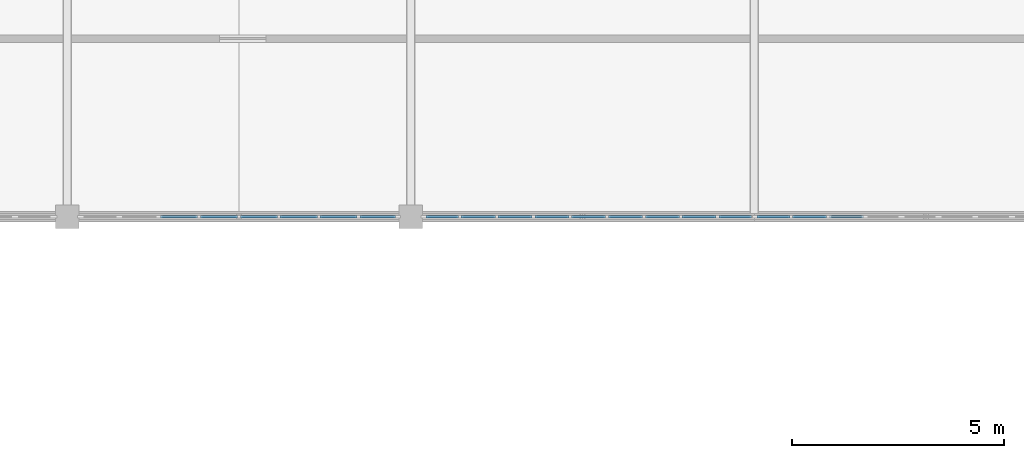
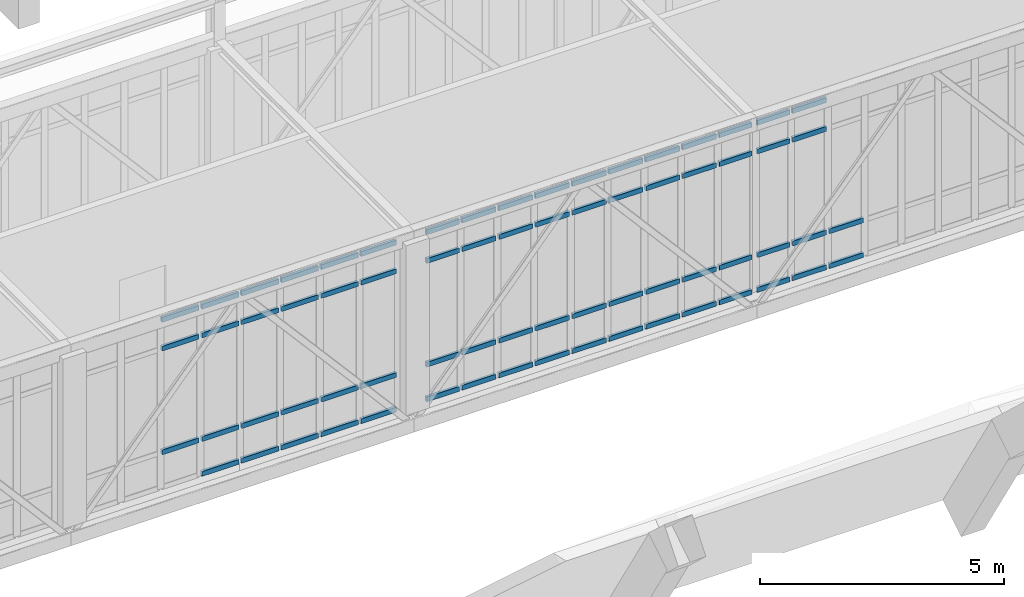
# One storey, part 23 of 67: 69 members, 3 elements without a shape of their own.
"""IFC4 building model written with IfcOpenShell, lengths in metres."""

from ifc_helpers import new_model, si_unit, direction, frame, origin, origin_2d, place, context, subcontext, project, spatial, rectangle, extrude, material, material_profile, profile_set, type_object, element, aggregate, save


model = new_model("IFC4")

# Units and contexts
model_context = context("Model", 3, precision=1e-05, world=origin(), true_north=direction((0.0, 1.0)))
body_context = subcontext(model_context, "Body", "Model", "MODEL_VIEW")
ifc_project = project(units=[si_unit("LENGTHUNIT", "METRE"), si_unit("AREAUNIT", "SQUARE_METRE"), si_unit("VOLUMEUNIT", "CUBIC_METRE"), si_unit("PLANEANGLEUNIT", "RADIAN"), si_unit("MASSUNIT", "GRAM", prefix="KILO")], contexts=[model_context])

# Site, building, storey
site_placement = place(None, origin())
site = spatial("IfcSite", under=ifc_project, at=site_placement, CompositionType="ELEMENT")
building_placement = place(site_placement, origin())
building = spatial("IfcBuilding", under=site, at=building_placement, Name="Tarnveldt Square Police Headquarters", CompositionType="ELEMENT")
storey_placement = place(building_placement, frame((0.0, 0.0, 10.199951171875)))
storey = spatial("IfcBuildingStorey", under=building, at=storey_placement, Name="L02", CompositionType="ELEMENT", Elevation=10.199951171875)

# Curtain wall, members
ifc_material_1 = material(Name="Triple-glazed low-e laminated vision glass", Category="glass")
curtain_wall_type_1 = type_object("IfcCurtainWallType", Name="CW-SB-752x424", PredefinedType="USERDEFINED", material=ifc_material_1)
curtain_wall_1_placement = place(storey_placement, origin())
curtain_wall_1 = element("IfcCurtainWall", 1, at=curtain_wall_1_placement, inside=storey, type_object=curtain_wall_type_1, Name="L02 Curtain Wall CW-L02-141", ObjectType="GLAZED CURTAIN WALL", PredefinedType="USERDEFINED")
ifc_material_2 = material(Name="Thermally broken anodised aluminium 6063-T6", Category="aluminium")
ifc_material_profile = material_profile(ifc_material_2, rectangle(XDim=0.06494140625, YDim=0.1201171875, at=origin_2d()), Name="CW-T65x120")
ifc_profile_set = profile_set([ifc_material_profile], Name="Thermally broken anodised aluminium 6063-T6")
member_type = type_object("IfcMemberType", Name="CWT-65x120", PredefinedType="USERDEFINED", material=ifc_profile_set)
member_1_placement = place(storey_placement, frame((75.1025390625, 56.0, 0.900146484375), z_axis=(1.0, 0.0, 0.0), x_axis=(0.0, 1.0, 0.0)))
member_1 = element("IfcMember", 2, at=member_1_placement, type_object=member_type, Name="CW-SB86 transom 3.2", ObjectType="TRANSOM", PredefinedType="USERDEFINED", context=body_context, shape_type="SweptSolid", body=[
    extrude(rectangle(XDim=0.06494140625, YDim=0.1201171875, at=origin_2d()), origin(), (0.0, 0.0, 1.0), 0.875),
])
member_2_placement = place(storey_placement, frame((75.1025390625, 56.0, 3.489990234375), z_axis=(1.0, 0.0, 0.0), x_axis=(0.0, 1.0, 0.0)))
member_2 = element("IfcMember", 3, at=member_2_placement, type_object=member_type, Name="CW-SB86 transom 3.3", ObjectType="TRANSOM", PredefinedType="USERDEFINED", context=body_context, shape_type="SweptSolid", body=[
    extrude(rectangle(XDim=0.06494140625, YDim=0.1201171875, at=origin_2d()), origin(), (0.0, 0.0, 1.0), 0.875),
])
member_3_placement = place(storey_placement, frame((75.1025390625, 56.0, 4.20751953125), z_axis=(1.0, 0.0, 0.0), x_axis=(0.0, 1.0, 0.0)))
member_3 = element("IfcMember", 4, at=member_3_placement, type_object=member_type, Name="CW-SB86 transom 3.4", ObjectType="TRANSOM", PredefinedType="USERDEFINED", context=body_context, shape_type="SweptSolid", body=[
    extrude(rectangle(XDim=0.06494140625, YDim=0.1201171875, at=origin_2d()), origin(), (0.0, 0.0, 1.0), 0.875),
])
member_4_placement = place(storey_placement, frame((76.04248046875, 56.0, 0.032470703125), z_axis=(1.0, 0.0, 0.0), x_axis=(0.0, 1.0, 0.0)))
member_4 = element("IfcMember", 5, at=member_4_placement, type_object=member_type, Name="CW-SB86 transom 4.1", ObjectType="TRANSOM", PredefinedType="USERDEFINED", context=body_context, shape_type="SweptSolid", body=[
    extrude(rectangle(XDim=0.06494140625, YDim=0.1201171875, at=origin_2d()), origin(), (0.0, 0.0, 1.0), 0.875),
])
member_5_placement = place(storey_placement, frame((76.04248046875, 56.0, 0.900146484375), z_axis=(1.0, 0.0, 0.0), x_axis=(0.0, 1.0, 0.0)))
member_5 = element("IfcMember", 6, at=member_5_placement, type_object=member_type, Name="CW-SB86 transom 4.2", ObjectType="TRANSOM", PredefinedType="USERDEFINED", context=body_context, shape_type="SweptSolid", body=[
    extrude(rectangle(XDim=0.06494140625, YDim=0.1201171875, at=origin_2d()), origin(), (0.0, 0.0, 1.0), 0.875),
])
member_6_placement = place(storey_placement, frame((76.04248046875, 56.0, 3.489990234375), z_axis=(1.0, 0.0, 0.0), x_axis=(0.0, 1.0, 0.0)))
member_6 = element("IfcMember", 7, at=member_6_placement, type_object=member_type, Name="CW-SB86 transom 4.3", ObjectType="TRANSOM", PredefinedType="USERDEFINED", context=body_context, shape_type="SweptSolid", body=[
    extrude(rectangle(XDim=0.06494140625, YDim=0.1201171875, at=origin_2d()), origin(), (0.0, 0.0, 1.0), 0.875),
])
member_7_placement = place(storey_placement, frame((76.04248046875, 56.0, 4.20751953125), z_axis=(1.0, 0.0, 0.0), x_axis=(0.0, 1.0, 0.0)))
member_7 = element("IfcMember", 8, at=member_7_placement, type_object=member_type, Name="CW-SB86 transom 4.4", ObjectType="TRANSOM", PredefinedType="USERDEFINED", context=body_context, shape_type="SweptSolid", body=[
    extrude(rectangle(XDim=0.06494140625, YDim=0.1201171875, at=origin_2d()), origin(), (0.0, 0.0, 1.0), 0.875),
])
member_8_placement = place(storey_placement, frame((76.982421875, 56.0, 0.032470703125), z_axis=(1.0, 0.0, 0.0), x_axis=(0.0, 1.0, 0.0)))
member_8 = element("IfcMember", 9, at=member_8_placement, type_object=member_type, Name="CW-SB86 transom 5.1", ObjectType="TRANSOM", PredefinedType="USERDEFINED", context=body_context, shape_type="SweptSolid", body=[
    extrude(rectangle(XDim=0.06494140625, YDim=0.1201171875, at=origin_2d()), origin(), (0.0, 0.0, 1.0), 0.875),
])
member_9_placement = place(storey_placement, frame((76.982421875, 56.0, 0.900146484375), z_axis=(1.0, 0.0, 0.0), x_axis=(0.0, 1.0, 0.0)))
member_9 = element("IfcMember", 10, at=member_9_placement, type_object=member_type, Name="CW-SB86 transom 5.2", ObjectType="TRANSOM", PredefinedType="USERDEFINED", context=body_context, shape_type="SweptSolid", body=[
    extrude(rectangle(XDim=0.06494140625, YDim=0.1201171875, at=origin_2d()), origin(), (0.0, 0.0, 1.0), 0.875),
])
member_10_placement = place(storey_placement, frame((76.982421875, 56.0, 3.489990234375), z_axis=(1.0, 0.0, 0.0), x_axis=(0.0, 1.0, 0.0)))
member_10 = element("IfcMember", 11, at=member_10_placement, type_object=member_type, Name="CW-SB86 transom 5.3", ObjectType="TRANSOM", PredefinedType="USERDEFINED", context=body_context, shape_type="SweptSolid", body=[
    extrude(rectangle(XDim=0.06494140625, YDim=0.1201171875, at=origin_2d()), origin(), (0.0, 0.0, 1.0), 0.875),
])
member_11_placement = place(storey_placement, frame((76.982421875, 56.0, 4.20751953125), z_axis=(1.0, 0.0, 0.0), x_axis=(0.0, 1.0, 0.0)))
member_11 = element("IfcMember", 12, at=member_11_placement, type_object=member_type, Name="CW-SB86 transom 5.4", ObjectType="TRANSOM", PredefinedType="USERDEFINED", context=body_context, shape_type="SweptSolid", body=[
    extrude(rectangle(XDim=0.06494140625, YDim=0.1201171875, at=origin_2d()), origin(), (0.0, 0.0, 1.0), 0.875),
])
member_12_placement = place(storey_placement, frame((77.922607421875, 56.0, 0.032470703125), z_axis=(1.0, 0.0, 0.0), x_axis=(0.0, 1.0, 0.0)))
member_12 = element("IfcMember", 13, at=member_12_placement, type_object=member_type, Name="CW-SB86 transom 6.1", ObjectType="TRANSOM", PredefinedType="USERDEFINED", context=body_context, shape_type="SweptSolid", body=[
    extrude(rectangle(XDim=0.06494140625, YDim=0.1201171875, at=origin_2d()), origin(), (0.0, 0.0, 1.0), 0.875),
])
member_13_placement = place(storey_placement, frame((77.922607421875, 56.0, 0.900146484375), z_axis=(1.0, 0.0, 0.0), x_axis=(0.0, 1.0, 0.0)))
member_13 = element("IfcMember", 14, at=member_13_placement, type_object=member_type, Name="CW-SB86 transom 6.2", ObjectType="TRANSOM", PredefinedType="USERDEFINED", context=body_context, shape_type="SweptSolid", body=[
    extrude(rectangle(XDim=0.06494140625, YDim=0.1201171875, at=origin_2d()), origin(), (0.0, 0.0, 1.0), 0.875),
])
member_14_placement = place(storey_placement, frame((77.922607421875, 56.0, 3.489990234375), z_axis=(1.0, 0.0, 0.0), x_axis=(0.0, 1.0, 0.0)))
member_14 = element("IfcMember", 15, at=member_14_placement, type_object=member_type, Name="CW-SB86 transom 6.3", ObjectType="TRANSOM", PredefinedType="USERDEFINED", context=body_context, shape_type="SweptSolid", body=[
    extrude(rectangle(XDim=0.06494140625, YDim=0.1201171875, at=origin_2d()), origin(), (0.0, 0.0, 1.0), 0.875),
])
member_15_placement = place(storey_placement, frame((77.922607421875, 56.0, 4.20751953125), z_axis=(1.0, 0.0, 0.0), x_axis=(0.0, 1.0, 0.0)))
member_15 = element("IfcMember", 16, at=member_15_placement, type_object=member_type, Name="CW-SB86 transom 6.4", ObjectType="TRANSOM", PredefinedType="USERDEFINED", context=body_context, shape_type="SweptSolid", body=[
    extrude(rectangle(XDim=0.06494140625, YDim=0.1201171875, at=origin_2d()), origin(), (0.0, 0.0, 1.0), 0.875),
])
member_16_placement = place(storey_placement, frame((78.862548828125, 56.0, 0.032470703125), z_axis=(1.0, 0.0, 0.0), x_axis=(0.0, 1.0, 0.0)))
member_16 = element("IfcMember", 17, at=member_16_placement, type_object=member_type, Name="CW-SB86 transom 7.1", ObjectType="TRANSOM", PredefinedType="USERDEFINED", context=body_context, shape_type="SweptSolid", body=[
    extrude(rectangle(XDim=0.06494140625, YDim=0.1201171875, at=origin_2d()), origin(), (0.0, 0.0, 1.0), 0.875),
])
member_17_placement = place(storey_placement, frame((78.862548828125, 56.0, 0.900146484375), z_axis=(1.0, 0.0, 0.0), x_axis=(0.0, 1.0, 0.0)))
member_17 = element("IfcMember", 18, at=member_17_placement, type_object=member_type, Name="CW-SB86 transom 7.2", ObjectType="TRANSOM", PredefinedType="USERDEFINED", context=body_context, shape_type="SweptSolid", body=[
    extrude(rectangle(XDim=0.06494140625, YDim=0.1201171875, at=origin_2d()), origin(), (0.0, 0.0, 1.0), 0.875),
])
member_18_placement = place(storey_placement, frame((78.862548828125, 56.0, 3.489990234375), z_axis=(1.0, 0.0, 0.0), x_axis=(0.0, 1.0, 0.0)))
member_18 = element("IfcMember", 19, at=member_18_placement, type_object=member_type, Name="CW-SB86 transom 7.3", ObjectType="TRANSOM", PredefinedType="USERDEFINED", context=body_context, shape_type="SweptSolid", body=[
    extrude(rectangle(XDim=0.06494140625, YDim=0.1201171875, at=origin_2d()), origin(), (0.0, 0.0, 1.0), 0.875),
])
member_19_placement = place(storey_placement, frame((78.862548828125, 56.0, 4.20751953125), z_axis=(1.0, 0.0, 0.0), x_axis=(0.0, 1.0, 0.0)))
member_19 = element("IfcMember", 20, at=member_19_placement, type_object=member_type, Name="CW-SB86 transom 7.4", ObjectType="TRANSOM", PredefinedType="USERDEFINED", context=body_context, shape_type="SweptSolid", body=[
    extrude(rectangle(XDim=0.06494140625, YDim=0.1201171875, at=origin_2d()), origin(), (0.0, 0.0, 1.0), 0.875),
])
member_20_placement = place(storey_placement, frame((79.802490234375, 56.0, 0.032470703125), z_axis=(1.0, 0.0, 0.0), x_axis=(0.0, 1.0, 0.0)))
member_20 = element("IfcMember", 21, at=member_20_placement, type_object=member_type, Name="CW-SB86 transom 8.1", ObjectType="TRANSOM", PredefinedType="USERDEFINED", context=body_context, shape_type="SweptSolid", body=[
    extrude(rectangle(XDim=0.06494140625, YDim=0.1201171875, at=origin_2d()), origin(), (0.0, 0.0, 1.0), 0.842529296875),
])
member_21_placement = place(storey_placement, frame((79.802490234375, 56.0, 0.900146484375), z_axis=(1.0, 0.0, 0.0), x_axis=(0.0, 1.0, 0.0)))
member_21 = element("IfcMember", 22, at=member_21_placement, type_object=member_type, Name="CW-SB86 transom 8.2", ObjectType="TRANSOM", PredefinedType="USERDEFINED", context=body_context, shape_type="SweptSolid", body=[
    extrude(rectangle(XDim=0.06494140625, YDim=0.1201171875, at=origin_2d()), origin(), (0.0, 0.0, 1.0), 0.842529296875),
])
member_22_placement = place(storey_placement, frame((79.802490234375, 56.0, 3.489990234375), z_axis=(1.0, 0.0, 0.0), x_axis=(0.0, 1.0, 0.0)))
member_22 = element("IfcMember", 23, at=member_22_placement, type_object=member_type, Name="CW-SB86 transom 8.3", ObjectType="TRANSOM", PredefinedType="USERDEFINED", context=body_context, shape_type="SweptSolid", body=[
    extrude(rectangle(XDim=0.06494140625, YDim=0.1201171875, at=origin_2d()), origin(), (0.0, 0.0, 1.0), 0.842529296875),
])
member_23_placement = place(storey_placement, frame((79.802490234375, 56.0, 4.20751953125), z_axis=(1.0, 0.0, 0.0), x_axis=(0.0, 1.0, 0.0)))
member_23 = element("IfcMember", 24, at=member_23_placement, type_object=member_type, Name="CW-SB86 transom 8.4", ObjectType="TRANSOM", PredefinedType="USERDEFINED", context=body_context, shape_type="SweptSolid", body=[
    extrude(rectangle(XDim=0.06494140625, YDim=0.1201171875, at=origin_2d()), origin(), (0.0, 0.0, 1.0), 0.842529296875),
])
aggregate(curtain_wall_1, [member_1, member_2, member_3, member_4, member_5, member_6, member_7, member_8, member_9, member_10, member_11, member_12, member_13, member_14, member_15, member_16, member_17, member_18, member_19, member_20, member_21, member_22, member_23])

curtain_wall_type_2 = type_object("IfcCurtainWallType", Name="CW-SB-781x424", PredefinedType="USERDEFINED", material=ifc_material_1)
curtain_wall_2_placement = place(storey_placement, origin())
curtain_wall_2 = element("IfcCurtainWall", 25, at=curtain_wall_2_placement, inside=storey, type_object=curtain_wall_type_2, Name="L02 Curtain Wall CW-L02-142", ObjectType="GLAZED CURTAIN WALL", PredefinedType="USERDEFINED")
member_24_placement = place(storey_placement, frame((81.35498046875, 56.0, 0.032470703125), z_axis=(1.0, 0.0, 0.0), x_axis=(0.0, 1.0, 0.0)))
member_24 = element("IfcMember", 26, at=member_24_placement, type_object=member_type, Name="CW-SB87 transom 1.1", ObjectType="TRANSOM", PredefinedType="USERDEFINED", context=body_context, shape_type="SweptSolid", body=[
    extrude(rectangle(XDim=0.06494140625, YDim=0.1201171875, at=origin_2d()), origin(), (0.0, 0.0, 1.0), 0.770263671875),
])
member_25_placement = place(storey_placement, frame((81.35498046875, 56.0, 0.900146484375), z_axis=(1.0, 0.0, 0.0), x_axis=(0.0, 1.0, 0.0)))
member_25 = element("IfcMember", 27, at=member_25_placement, type_object=member_type, Name="CW-SB87 transom 1.2", ObjectType="TRANSOM", PredefinedType="USERDEFINED", context=body_context, shape_type="SweptSolid", body=[
    extrude(rectangle(XDim=0.06494140625, YDim=0.1201171875, at=origin_2d()), origin(), (0.0, 0.0, 1.0), 0.770263671875),
])
member_26_placement = place(storey_placement, frame((81.35498046875, 56.0, 3.489990234375), z_axis=(1.0, 0.0, 0.0), x_axis=(0.0, 1.0, 0.0)))
member_26 = element("IfcMember", 28, at=member_26_placement, type_object=member_type, Name="CW-SB87 transom 1.3", ObjectType="TRANSOM", PredefinedType="USERDEFINED", context=body_context, shape_type="SweptSolid", body=[
    extrude(rectangle(XDim=0.06494140625, YDim=0.1201171875, at=origin_2d()), origin(), (0.0, 0.0, 1.0), 0.770263671875),
])
member_27_placement = place(storey_placement, frame((81.35498046875, 56.0, 4.20751953125), z_axis=(1.0, 0.0, 0.0), x_axis=(0.0, 1.0, 0.0)))
member_27 = element("IfcMember", 29, at=member_27_placement, type_object=member_type, Name="CW-SB87 transom 1.4", ObjectType="TRANSOM", PredefinedType="USERDEFINED", context=body_context, shape_type="SweptSolid", body=[
    extrude(rectangle(XDim=0.06494140625, YDim=0.1201171875, at=origin_2d()), origin(), (0.0, 0.0, 1.0), 0.770263671875),
])
member_28_placement = place(storey_placement, frame((82.190185546875, 56.0, 0.032470703125), z_axis=(1.0, 0.0, 0.0), x_axis=(0.0, 1.0, 0.0)))
member_28 = element("IfcMember", 30, at=member_28_placement, type_object=member_type, Name="CW-SB87 transom 2.1", ObjectType="TRANSOM", PredefinedType="USERDEFINED", context=body_context, shape_type="SweptSolid", body=[
    extrude(rectangle(XDim=0.06494140625, YDim=0.1201171875, at=origin_2d()), origin(), (0.0, 0.0, 1.0), 0.802978515625),
])
member_29_placement = place(storey_placement, frame((82.190185546875, 56.0, 0.900146484375), z_axis=(1.0, 0.0, 0.0), x_axis=(0.0, 1.0, 0.0)))
member_29 = element("IfcMember", 31, at=member_29_placement, type_object=member_type, Name="CW-SB87 transom 2.2", ObjectType="TRANSOM", PredefinedType="USERDEFINED", context=body_context, shape_type="SweptSolid", body=[
    extrude(rectangle(XDim=0.06494140625, YDim=0.1201171875, at=origin_2d()), origin(), (0.0, 0.0, 1.0), 0.802978515625),
])
member_30_placement = place(storey_placement, frame((82.190185546875, 56.0, 3.489990234375), z_axis=(1.0, 0.0, 0.0), x_axis=(0.0, 1.0, 0.0)))
member_30 = element("IfcMember", 32, at=member_30_placement, type_object=member_type, Name="CW-SB87 transom 2.3", ObjectType="TRANSOM", PredefinedType="USERDEFINED", context=body_context, shape_type="SweptSolid", body=[
    extrude(rectangle(XDim=0.06494140625, YDim=0.1201171875, at=origin_2d()), origin(), (0.0, 0.0, 1.0), 0.802978515625),
])
member_31_placement = place(storey_placement, frame((82.190185546875, 56.0, 4.20751953125), z_axis=(1.0, 0.0, 0.0), x_axis=(0.0, 1.0, 0.0)))
member_31 = element("IfcMember", 33, at=member_31_placement, type_object=member_type, Name="CW-SB87 transom 2.4", ObjectType="TRANSOM", PredefinedType="USERDEFINED", context=body_context, shape_type="SweptSolid", body=[
    extrude(rectangle(XDim=0.06494140625, YDim=0.1201171875, at=origin_2d()), origin(), (0.0, 0.0, 1.0), 0.802978515625),
])
member_32_placement = place(storey_placement, frame((83.05810546875, 56.0, 0.032470703125), z_axis=(1.0, 0.0, 0.0), x_axis=(0.0, 1.0, 0.0)))
member_32 = element("IfcMember", 34, at=member_32_placement, type_object=member_type, Name="CW-SB87 transom 3.1", ObjectType="TRANSOM", PredefinedType="USERDEFINED", context=body_context, shape_type="SweptSolid", body=[
    extrude(rectangle(XDim=0.06494140625, YDim=0.1201171875, at=origin_2d()), origin(), (0.0, 0.0, 1.0), 0.802734375),
])
member_33_placement = place(storey_placement, frame((83.05810546875, 56.0, 0.900146484375), z_axis=(1.0, 0.0, 0.0), x_axis=(0.0, 1.0, 0.0)))
member_33 = element("IfcMember", 35, at=member_33_placement, type_object=member_type, Name="CW-SB87 transom 3.2", ObjectType="TRANSOM", PredefinedType="USERDEFINED", context=body_context, shape_type="SweptSolid", body=[
    extrude(rectangle(XDim=0.06494140625, YDim=0.1201171875, at=origin_2d()), origin(), (0.0, 0.0, 1.0), 0.802734375),
])
member_34_placement = place(storey_placement, frame((83.05810546875, 56.0, 3.489990234375), z_axis=(1.0, 0.0, 0.0), x_axis=(0.0, 1.0, 0.0)))
member_34 = element("IfcMember", 36, at=member_34_placement, type_object=member_type, Name="CW-SB87 transom 3.3", ObjectType="TRANSOM", PredefinedType="USERDEFINED", context=body_context, shape_type="SweptSolid", body=[
    extrude(rectangle(XDim=0.06494140625, YDim=0.1201171875, at=origin_2d()), origin(), (0.0, 0.0, 1.0), 0.802734375),
])
member_35_placement = place(storey_placement, frame((83.05810546875, 56.0, 4.20751953125), z_axis=(1.0, 0.0, 0.0), x_axis=(0.0, 1.0, 0.0)))
member_35 = element("IfcMember", 37, at=member_35_placement, type_object=member_type, Name="CW-SB87 transom 3.4", ObjectType="TRANSOM", PredefinedType="USERDEFINED", context=body_context, shape_type="SweptSolid", body=[
    extrude(rectangle(XDim=0.06494140625, YDim=0.1201171875, at=origin_2d()), origin(), (0.0, 0.0, 1.0), 0.802734375),
])
member_36_placement = place(storey_placement, frame((83.92578125, 56.0, 0.032470703125), z_axis=(1.0, 0.0, 0.0), x_axis=(0.0, 1.0, 0.0)))
member_36 = element("IfcMember", 38, at=member_36_placement, type_object=member_type, Name="CW-SB87 transom 4.1", ObjectType="TRANSOM", PredefinedType="USERDEFINED", context=body_context, shape_type="SweptSolid", body=[
    extrude(rectangle(XDim=0.06494140625, YDim=0.1201171875, at=origin_2d()), origin(), (0.0, 0.0, 1.0), 0.802734375),
])
member_37_placement = place(storey_placement, frame((83.92578125, 56.0, 0.900146484375), z_axis=(1.0, 0.0, 0.0), x_axis=(0.0, 1.0, 0.0)))
member_37 = element("IfcMember", 39, at=member_37_placement, type_object=member_type, Name="CW-SB87 transom 4.2", ObjectType="TRANSOM", PredefinedType="USERDEFINED", context=body_context, shape_type="SweptSolid", body=[
    extrude(rectangle(XDim=0.06494140625, YDim=0.1201171875, at=origin_2d()), origin(), (0.0, 0.0, 1.0), 0.802734375),
])
member_38_placement = place(storey_placement, frame((83.92578125, 56.0, 3.489990234375), z_axis=(1.0, 0.0, 0.0), x_axis=(0.0, 1.0, 0.0)))
member_38 = element("IfcMember", 40, at=member_38_placement, type_object=member_type, Name="CW-SB87 transom 4.3", ObjectType="TRANSOM", PredefinedType="USERDEFINED", context=body_context, shape_type="SweptSolid", body=[
    extrude(rectangle(XDim=0.06494140625, YDim=0.1201171875, at=origin_2d()), origin(), (0.0, 0.0, 1.0), 0.802734375),
])
member_39_placement = place(storey_placement, frame((83.92578125, 56.0, 4.20751953125), z_axis=(1.0, 0.0, 0.0), x_axis=(0.0, 1.0, 0.0)))
member_39 = element("IfcMember", 41, at=member_39_placement, type_object=member_type, Name="CW-SB87 transom 4.4", ObjectType="TRANSOM", PredefinedType="USERDEFINED", context=body_context, shape_type="SweptSolid", body=[
    extrude(rectangle(XDim=0.06494140625, YDim=0.1201171875, at=origin_2d()), origin(), (0.0, 0.0, 1.0), 0.802734375),
])
member_40_placement = place(storey_placement, frame((84.793701171875, 56.0, 0.032470703125), z_axis=(1.0, 0.0, 0.0), x_axis=(0.0, 1.0, 0.0)))
member_40 = element("IfcMember", 42, at=member_40_placement, type_object=member_type, Name="CW-SB87 transom 5.1", ObjectType="TRANSOM", PredefinedType="USERDEFINED", context=body_context, shape_type="SweptSolid", body=[
    extrude(rectangle(XDim=0.06494140625, YDim=0.1201171875, at=origin_2d()), origin(), (0.0, 0.0, 1.0), 0.802734375),
])
member_41_placement = place(storey_placement, frame((84.793701171875, 56.0, 0.900146484375), z_axis=(1.0, 0.0, 0.0), x_axis=(0.0, 1.0, 0.0)))
member_41 = element("IfcMember", 43, at=member_41_placement, type_object=member_type, Name="CW-SB87 transom 5.2", ObjectType="TRANSOM", PredefinedType="USERDEFINED", context=body_context, shape_type="SweptSolid", body=[
    extrude(rectangle(XDim=0.06494140625, YDim=0.1201171875, at=origin_2d()), origin(), (0.0, 0.0, 1.0), 0.802734375),
])
member_42_placement = place(storey_placement, frame((84.793701171875, 56.0, 3.489990234375), z_axis=(1.0, 0.0, 0.0), x_axis=(0.0, 1.0, 0.0)))
member_42 = element("IfcMember", 44, at=member_42_placement, type_object=member_type, Name="CW-SB87 transom 5.3", ObjectType="TRANSOM", PredefinedType="USERDEFINED", context=body_context, shape_type="SweptSolid", body=[
    extrude(rectangle(XDim=0.06494140625, YDim=0.1201171875, at=origin_2d()), origin(), (0.0, 0.0, 1.0), 0.802734375),
])
member_43_placement = place(storey_placement, frame((84.793701171875, 56.0, 4.20751953125), z_axis=(1.0, 0.0, 0.0), x_axis=(0.0, 1.0, 0.0)))
member_43 = element("IfcMember", 45, at=member_43_placement, type_object=member_type, Name="CW-SB87 transom 5.4", ObjectType="TRANSOM", PredefinedType="USERDEFINED", context=body_context, shape_type="SweptSolid", body=[
    extrude(rectangle(XDim=0.06494140625, YDim=0.1201171875, at=origin_2d()), origin(), (0.0, 0.0, 1.0), 0.802734375),
])
member_44_placement = place(storey_placement, frame((85.661376953125, 56.0, 0.032470703125), z_axis=(1.0, 0.0, 0.0), x_axis=(0.0, 1.0, 0.0)))
member_44 = element("IfcMember", 46, at=member_44_placement, type_object=member_type, Name="CW-SB87 transom 6.1", ObjectType="TRANSOM", PredefinedType="USERDEFINED", context=body_context, shape_type="SweptSolid", body=[
    extrude(rectangle(XDim=0.06494140625, YDim=0.1201171875, at=origin_2d()), origin(), (0.0, 0.0, 1.0), 0.802734375),
])
member_45_placement = place(storey_placement, frame((85.661376953125, 56.0, 0.900146484375), z_axis=(1.0, 0.0, 0.0), x_axis=(0.0, 1.0, 0.0)))
member_45 = element("IfcMember", 47, at=member_45_placement, type_object=member_type, Name="CW-SB87 transom 6.2", ObjectType="TRANSOM", PredefinedType="USERDEFINED", context=body_context, shape_type="SweptSolid", body=[
    extrude(rectangle(XDim=0.06494140625, YDim=0.1201171875, at=origin_2d()), origin(), (0.0, 0.0, 1.0), 0.802734375),
])
member_46_placement = place(storey_placement, frame((85.661376953125, 56.0, 3.489990234375), z_axis=(1.0, 0.0, 0.0), x_axis=(0.0, 1.0, 0.0)))
member_46 = element("IfcMember", 48, at=member_46_placement, type_object=member_type, Name="CW-SB87 transom 6.3", ObjectType="TRANSOM", PredefinedType="USERDEFINED", context=body_context, shape_type="SweptSolid", body=[
    extrude(rectangle(XDim=0.06494140625, YDim=0.1201171875, at=origin_2d()), origin(), (0.0, 0.0, 1.0), 0.802734375),
])
member_47_placement = place(storey_placement, frame((85.661376953125, 56.0, 4.20751953125), z_axis=(1.0, 0.0, 0.0), x_axis=(0.0, 1.0, 0.0)))
member_47 = element("IfcMember", 49, at=member_47_placement, type_object=member_type, Name="CW-SB87 transom 6.4", ObjectType="TRANSOM", PredefinedType="USERDEFINED", context=body_context, shape_type="SweptSolid", body=[
    extrude(rectangle(XDim=0.06494140625, YDim=0.1201171875, at=origin_2d()), origin(), (0.0, 0.0, 1.0), 0.802734375),
])
member_48_placement = place(storey_placement, frame((86.529052734375, 56.0, 0.032470703125), z_axis=(1.0, 0.0, 0.0), x_axis=(0.0, 1.0, 0.0)))
member_48 = element("IfcMember", 50, at=member_48_placement, type_object=member_type, Name="CW-SB87 transom 7.1", ObjectType="TRANSOM", PredefinedType="USERDEFINED", context=body_context, shape_type="SweptSolid", body=[
    extrude(rectangle(XDim=0.06494140625, YDim=0.1201171875, at=origin_2d()), origin(), (0.0, 0.0, 1.0), 0.802978515625),
])
member_49_placement = place(storey_placement, frame((86.529052734375, 56.0, 0.900146484375), z_axis=(1.0, 0.0, 0.0), x_axis=(0.0, 1.0, 0.0)))
member_49 = element("IfcMember", 51, at=member_49_placement, type_object=member_type, Name="CW-SB87 transom 7.2", ObjectType="TRANSOM", PredefinedType="USERDEFINED", context=body_context, shape_type="SweptSolid", body=[
    extrude(rectangle(XDim=0.06494140625, YDim=0.1201171875, at=origin_2d()), origin(), (0.0, 0.0, 1.0), 0.802978515625),
])
member_50_placement = place(storey_placement, frame((86.529052734375, 56.0, 3.489990234375), z_axis=(1.0, 0.0, 0.0), x_axis=(0.0, 1.0, 0.0)))
member_50 = element("IfcMember", 52, at=member_50_placement, type_object=member_type, Name="CW-SB87 transom 7.3", ObjectType="TRANSOM", PredefinedType="USERDEFINED", context=body_context, shape_type="SweptSolid", body=[
    extrude(rectangle(XDim=0.06494140625, YDim=0.1201171875, at=origin_2d()), origin(), (0.0, 0.0, 1.0), 0.802978515625),
])
member_51_placement = place(storey_placement, frame((86.529052734375, 56.0, 4.20751953125), z_axis=(1.0, 0.0, 0.0), x_axis=(0.0, 1.0, 0.0)))
member_51 = element("IfcMember", 53, at=member_51_placement, type_object=member_type, Name="CW-SB87 transom 7.4", ObjectType="TRANSOM", PredefinedType="USERDEFINED", context=body_context, shape_type="SweptSolid", body=[
    extrude(rectangle(XDim=0.06494140625, YDim=0.1201171875, at=origin_2d()), origin(), (0.0, 0.0, 1.0), 0.802978515625),
])
member_52_placement = place(storey_placement, frame((87.39697265625, 56.0, 0.032470703125), z_axis=(1.0, 0.0, 0.0), x_axis=(0.0, 1.0, 0.0)))
member_52 = element("IfcMember", 54, at=member_52_placement, type_object=member_type, Name="CW-SB87 transom 8.1", ObjectType="TRANSOM", PredefinedType="USERDEFINED", context=body_context, shape_type="SweptSolid", body=[
    extrude(rectangle(XDim=0.06494140625, YDim=0.1201171875, at=origin_2d()), origin(), (0.0, 0.0, 1.0), 0.802734375),
])
member_53_placement = place(storey_placement, frame((87.39697265625, 56.0, 0.900146484375), z_axis=(1.0, 0.0, 0.0), x_axis=(0.0, 1.0, 0.0)))
member_53 = element("IfcMember", 55, at=member_53_placement, type_object=member_type, Name="CW-SB87 transom 8.2", ObjectType="TRANSOM", PredefinedType="USERDEFINED", context=body_context, shape_type="SweptSolid", body=[
    extrude(rectangle(XDim=0.06494140625, YDim=0.1201171875, at=origin_2d()), origin(), (0.0, 0.0, 1.0), 0.802734375),
])
member_54_placement = place(storey_placement, frame((87.39697265625, 56.0, 3.489990234375), z_axis=(1.0, 0.0, 0.0), x_axis=(0.0, 1.0, 0.0)))
member_54 = element("IfcMember", 56, at=member_54_placement, type_object=member_type, Name="CW-SB87 transom 8.3", ObjectType="TRANSOM", PredefinedType="USERDEFINED", context=body_context, shape_type="SweptSolid", body=[
    extrude(rectangle(XDim=0.06494140625, YDim=0.1201171875, at=origin_2d()), origin(), (0.0, 0.0, 1.0), 0.802734375),
])
member_55_placement = place(storey_placement, frame((87.39697265625, 56.0, 4.20751953125), z_axis=(1.0, 0.0, 0.0), x_axis=(0.0, 1.0, 0.0)))
member_55 = element("IfcMember", 57, at=member_55_placement, type_object=member_type, Name="CW-SB87 transom 8.4", ObjectType="TRANSOM", PredefinedType="USERDEFINED", context=body_context, shape_type="SweptSolid", body=[
    extrude(rectangle(XDim=0.06494140625, YDim=0.1201171875, at=origin_2d()), origin(), (0.0, 0.0, 1.0), 0.802734375),
])
member_56_placement = place(storey_placement, frame((88.2646484375, 56.0, 0.032470703125), z_axis=(1.0, 0.0, 0.0), x_axis=(0.0, 1.0, 0.0)))
member_56 = element("IfcMember", 58, at=member_56_placement, type_object=member_type, Name="CW-SB87 transom 9.1", ObjectType="TRANSOM", PredefinedType="USERDEFINED", context=body_context, shape_type="SweptSolid", body=[
    extrude(rectangle(XDim=0.06494140625, YDim=0.1201171875, at=origin_2d()), origin(), (0.0, 0.0, 1.0), 0.770263671875),
])
member_57_placement = place(storey_placement, frame((88.2646484375, 56.0, 0.900146484375), z_axis=(1.0, 0.0, 0.0), x_axis=(0.0, 1.0, 0.0)))
member_57 = element("IfcMember", 59, at=member_57_placement, type_object=member_type, Name="CW-SB87 transom 9.2", ObjectType="TRANSOM", PredefinedType="USERDEFINED", context=body_context, shape_type="SweptSolid", body=[
    extrude(rectangle(XDim=0.06494140625, YDim=0.1201171875, at=origin_2d()), origin(), (0.0, 0.0, 1.0), 0.770263671875),
])
member_58_placement = place(storey_placement, frame((88.2646484375, 56.0, 3.489990234375), z_axis=(1.0, 0.0, 0.0), x_axis=(0.0, 1.0, 0.0)))
member_58 = element("IfcMember", 60, at=member_58_placement, type_object=member_type, Name="CW-SB87 transom 9.3", ObjectType="TRANSOM", PredefinedType="USERDEFINED", context=body_context, shape_type="SweptSolid", body=[
    extrude(rectangle(XDim=0.06494140625, YDim=0.1201171875, at=origin_2d()), origin(), (0.0, 0.0, 1.0), 0.770263671875),
])
member_59_placement = place(storey_placement, frame((88.2646484375, 56.0, 4.20751953125), z_axis=(1.0, 0.0, 0.0), x_axis=(0.0, 1.0, 0.0)))
member_59 = element("IfcMember", 61, at=member_59_placement, type_object=member_type, Name="CW-SB87 transom 9.4", ObjectType="TRANSOM", PredefinedType="USERDEFINED", context=body_context, shape_type="SweptSolid", body=[
    extrude(rectangle(XDim=0.06494140625, YDim=0.1201171875, at=origin_2d()), origin(), (0.0, 0.0, 1.0), 0.770263671875),
])
aggregate(curtain_wall_2, [member_24, member_25, member_26, member_27, member_28, member_29, member_30, member_31, member_32, member_33, member_34, member_35, member_36, member_37, member_38, member_39, member_40, member_41, member_42, member_43, member_44, member_45, member_46, member_47, member_48, member_49, member_50, member_51, member_52, member_53, member_54, member_55, member_56, member_57, member_58, member_59])

curtain_wall_3_placement = place(storey_placement, origin())
curtain_wall_3 = element("IfcCurtainWall", 62, at=curtain_wall_3_placement, inside=storey, type_object=curtain_wall_type_2, Name="L02 Curtain Wall CW-L02-143", ObjectType="GLAZED CURTAIN WALL", PredefinedType="USERDEFINED")
member_60_placement = place(storey_placement, frame((89.1650390625, 56.0, 0.032470703125), z_axis=(1.0, 0.0, 0.0), x_axis=(0.0, 1.0, 0.0)))
member_60 = element("IfcMember", 63, at=member_60_placement, type_object=member_type, Name="CW-SB87 transom 1.1", ObjectType="TRANSOM", PredefinedType="USERDEFINED", context=body_context, shape_type="SweptSolid", body=[
    extrude(rectangle(XDim=0.06494140625, YDim=0.1201171875, at=origin_2d()), origin(), (0.0, 0.0, 1.0), 0.770263671875),
])
member_61_placement = place(storey_placement, frame((89.1650390625, 56.0, 0.900146484375), z_axis=(1.0, 0.0, 0.0), x_axis=(0.0, 1.0, 0.0)))
member_61 = element("IfcMember", 64, at=member_61_placement, type_object=member_type, Name="CW-SB87 transom 1.2", ObjectType="TRANSOM", PredefinedType="USERDEFINED", context=body_context, shape_type="SweptSolid", body=[
    extrude(rectangle(XDim=0.06494140625, YDim=0.1201171875, at=origin_2d()), origin(), (0.0, 0.0, 1.0), 0.770263671875),
])
member_62_placement = place(storey_placement, frame((89.1650390625, 56.0, 3.489990234375), z_axis=(1.0, 0.0, 0.0), x_axis=(0.0, 1.0, 0.0)))
member_62 = element("IfcMember", 65, at=member_62_placement, type_object=member_type, Name="CW-SB87 transom 1.3", ObjectType="TRANSOM", PredefinedType="USERDEFINED", context=body_context, shape_type="SweptSolid", body=[
    extrude(rectangle(XDim=0.06494140625, YDim=0.1201171875, at=origin_2d()), origin(), (0.0, 0.0, 1.0), 0.770263671875),
])
member_63_placement = place(storey_placement, frame((89.1650390625, 56.0, 4.20751953125), z_axis=(1.0, 0.0, 0.0), x_axis=(0.0, 1.0, 0.0)))
member_63 = element("IfcMember", 66, at=member_63_placement, type_object=member_type, Name="CW-SB87 transom 1.4", ObjectType="TRANSOM", PredefinedType="USERDEFINED", context=body_context, shape_type="SweptSolid", body=[
    extrude(rectangle(XDim=0.06494140625, YDim=0.1201171875, at=origin_2d()), origin(), (0.0, 0.0, 1.0), 0.770263671875),
])
member_64_placement = place(storey_placement, frame((90.000244140625, 56.0, 0.032470703125), z_axis=(1.0, 0.0, 0.0), x_axis=(0.0, 1.0, 0.0)))
member_64 = element("IfcMember", 67, at=member_64_placement, type_object=member_type, Name="CW-SB87 transom 2.1", ObjectType="TRANSOM", PredefinedType="USERDEFINED", context=body_context, shape_type="SweptSolid", body=[
    extrude(rectangle(XDim=0.06494140625, YDim=0.1201171875, at=origin_2d()), origin(), (0.0, 0.0, 1.0), 0.802734375),
])
member_65_placement = place(storey_placement, frame((90.000244140625, 56.0, 0.900146484375), z_axis=(1.0, 0.0, 0.0), x_axis=(0.0, 1.0, 0.0)))
member_65 = element("IfcMember", 68, at=member_65_placement, type_object=member_type, Name="CW-SB87 transom 2.2", ObjectType="TRANSOM", PredefinedType="USERDEFINED", context=body_context, shape_type="SweptSolid", body=[
    extrude(rectangle(XDim=0.06494140625, YDim=0.1201171875, at=origin_2d()), origin(), (0.0, 0.0, 1.0), 0.802734375),
])
member_66_placement = place(storey_placement, frame((90.000244140625, 56.0, 3.489990234375), z_axis=(1.0, 0.0, 0.0), x_axis=(0.0, 1.0, 0.0)))
member_66 = element("IfcMember", 69, at=member_66_placement, type_object=member_type, Name="CW-SB87 transom 2.3", ObjectType="TRANSOM", PredefinedType="USERDEFINED", context=body_context, shape_type="SweptSolid", body=[
    extrude(rectangle(XDim=0.06494140625, YDim=0.1201171875, at=origin_2d()), origin(), (0.0, 0.0, 1.0), 0.802734375),
])
member_67_placement = place(storey_placement, frame((90.000244140625, 56.0, 4.20751953125), z_axis=(1.0, 0.0, 0.0), x_axis=(0.0, 1.0, 0.0)))
member_67 = element("IfcMember", 70, at=member_67_placement, type_object=member_type, Name="CW-SB87 transom 2.4", ObjectType="TRANSOM", PredefinedType="USERDEFINED", context=body_context, shape_type="SweptSolid", body=[
    extrude(rectangle(XDim=0.06494140625, YDim=0.1201171875, at=origin_2d()), origin(), (0.0, 0.0, 1.0), 0.802734375),
])
member_68_placement = place(storey_placement, frame((90.8681640625, 56.0, 0.032470703125), z_axis=(1.0, 0.0, 0.0), x_axis=(0.0, 1.0, 0.0)))
member_68 = element("IfcMember", 71, at=member_68_placement, type_object=member_type, Name="CW-SB87 transom 3.1", ObjectType="TRANSOM", PredefinedType="USERDEFINED", context=body_context, shape_type="SweptSolid", body=[
    extrude(rectangle(XDim=0.06494140625, YDim=0.1201171875, at=origin_2d()), origin(), (0.0, 0.0, 1.0), 0.802734375),
])
member_69_placement = place(storey_placement, frame((90.8681640625, 56.0, 0.900146484375), z_axis=(1.0, 0.0, 0.0), x_axis=(0.0, 1.0, 0.0)))
member_69 = element("IfcMember", 72, at=member_69_placement, type_object=member_type, Name="CW-SB87 transom 3.2", ObjectType="TRANSOM", PredefinedType="USERDEFINED", context=body_context, shape_type="SweptSolid", body=[
    extrude(rectangle(XDim=0.06494140625, YDim=0.1201171875, at=origin_2d()), origin(), (0.0, 0.0, 1.0), 0.802734375),
])
aggregate(curtain_wall_3, [member_60, member_61, member_62, member_63, member_64, member_65, member_66, member_67, member_68, member_69])

save(model, "model.ifc")
